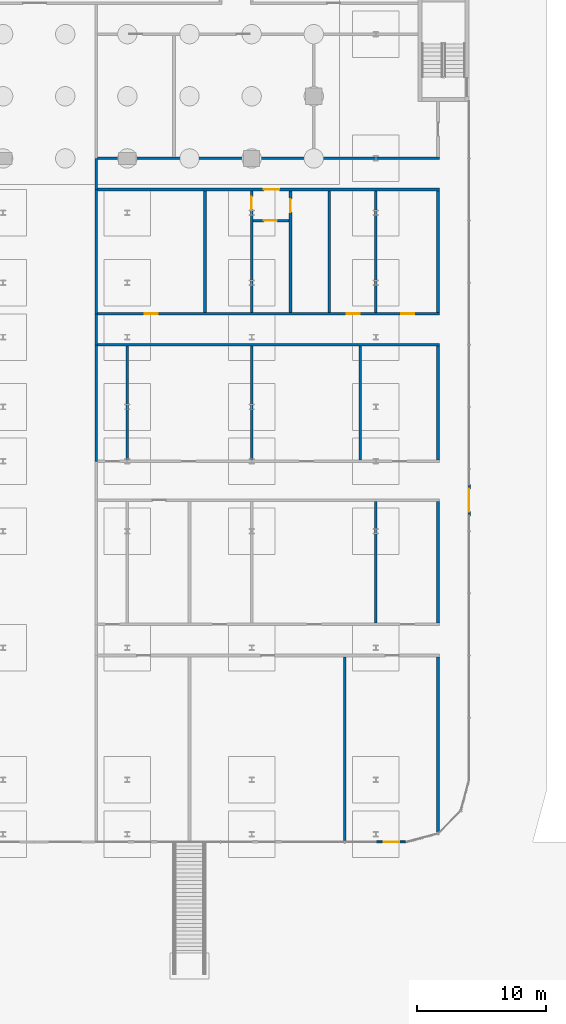
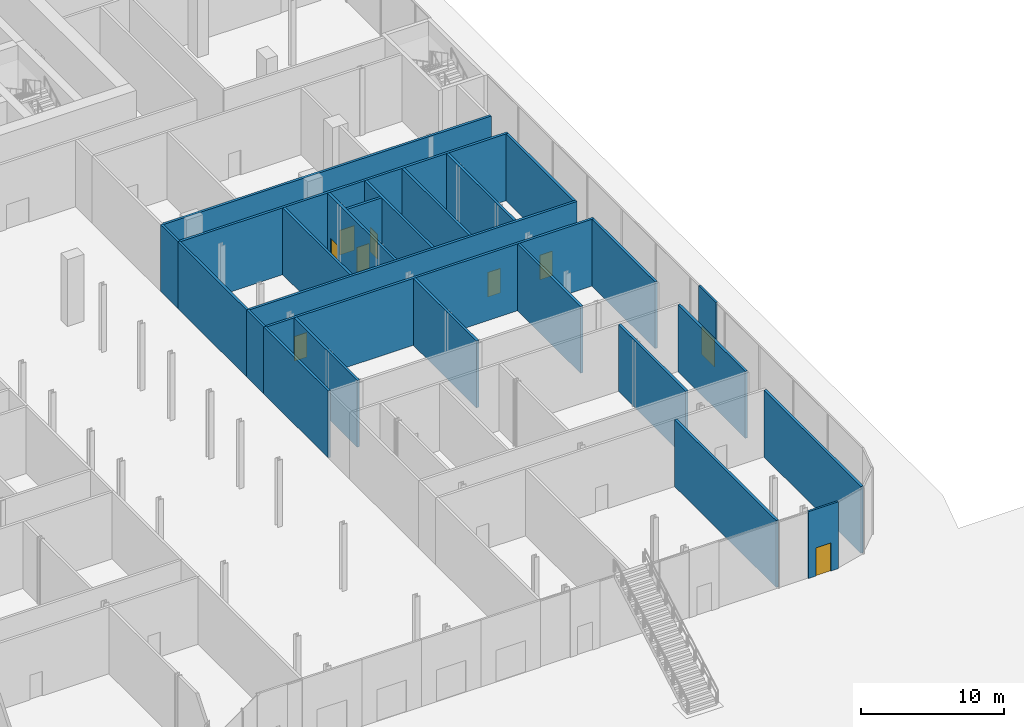
# One storey, part 31 of 44: 25 walls, 9 doors, 9 openings.
"""IFC4 building model written with IfcOpenShell, lengths in metres."""

from ifc_helpers import new_model, si_unit, direction, frame, frame_2d, origin, place, context, subcontext, project, spatial, rectangle, extrude, material, layer, layer_set, type_object, element, fill, save


model = new_model("IFC4")

# Units and contexts
model_context = context("Model", 3, precision=1e-05, world=origin(), true_north=direction((0.0, 1.0)))
body_context = subcontext(model_context, "Body", "Model", "MODEL_VIEW")
ifc_project = project(units=[si_unit("LENGTHUNIT", "METRE"), si_unit("AREAUNIT", "SQUARE_METRE"), si_unit("VOLUMEUNIT", "CUBIC_METRE"), si_unit("PLANEANGLEUNIT", "RADIAN"), si_unit("MASSUNIT", "GRAM", prefix="KILO")], contexts=[model_context])

# Site, building, storey
site_placement = place(None, origin())
site = spatial("IfcSite", under=ifc_project, at=site_placement, CompositionType="ELEMENT")
building_placement = place(site_placement, origin())
building = spatial("IfcBuilding", under=site, at=building_placement, Name="Madar Terraces", CompositionType="ELEMENT")
storey_placement = place(building_placement, origin())
storey = spatial("IfcBuildingStorey", under=building, at=storey_placement, Name="L00", CompositionType="ELEMENT", Elevation=0.0)

# Wall, opening, door
ifc_material_1 = material(Name="Aluminium composite panel, black, over insulated backing", Category="aluminium")
ifc_layer_1 = layer(ifc_material_1, 0.14990234375)
ifc_layer_set_1 = layer_set([ifc_layer_1], Name="Facade bay panel 150")
wall_type_1 = type_object("IfcWallType", Name="Facade bay panel 150", PredefinedType="SOLIDWALL", material=ifc_layer_set_1)
wall_1_placement = place(storey_placement, frame((64.800048828125, -52.800048828125, 0.0), z_axis=(0.0, 0.0, 1.0), x_axis=(-1.0, 0.0, 0.0)))
wall_1 = element("IfcWall", 1, at=wall_1_placement, inside=storey, type_object=wall_type_1, Name="Facade bay panel", PredefinedType="SOLIDWALL", context=body_context, shape_type="SweptSolid", body=[
    extrude(rectangle(XDim=2.400146484375, YDim=0.14990234375, at=frame_2d((1.2001953125, 0.0))), origin(), (0.0, 0.0, 1.0), 5.699951171875),
])
opening_1_placement = place(wall_1_placement, frame((0.60009765625, 0.0, 0.0)))
opening_1 = element("IfcOpeningElement", 2, at=opening_1_placement, cuts=wall_1, Name="Opening ED7", PredefinedType="OPENING", context=body_context, shape_type="SweptSolid", body=[
    extrude(rectangle(XDim=1.199951171875, YDim=2.39990234375, at=frame_2d((0.60009765625, 1.199951171875))), frame((0.0, 0.0849609375, 0.0), z_axis=(0.0, -1.0, 0.0), x_axis=(1.0, 0.0, 0.0)), (0.0, 0.0, 1.0), 0.169921875),
])
ifc_material_2 = material(Name="Glass, clear, with black aluminium frame", Category="aluminium")
door_type_1 = type_object("IfcDoorType", Name="Glazed shop door 1200 x 2400", OperationType="NOTDEFINED", PredefinedType="DOOR", material=ifc_material_2)
door_1_placement = place(opening_1_placement, origin())
door_1 = element("IfcDoor", 3, at=door_1_placement, inside=storey, type_object=door_type_1, Name="Shopfront door", OperationType="SINGLE_SWING_RIGHT", OverallHeight=2.39990234375, OverallWidth=1.199951171875, PredefinedType="DOOR", context=body_context, shape_type="SweptSolid", body=[
    extrude(rectangle(XDim=1.199951171875, YDim=2.39990234375, at=frame_2d((0.60009765625, 1.199951171875))), frame((0.0, 0.02490234375, 0.0), z_axis=(0.0, -1.0, 0.0), x_axis=(1.0, 0.0, 0.0)), (0.0, 0.0, 1.0), 0.050048828125),
])
fill(opening_1, door_1)

wall_2_placement = place(storey_placement, frame((69.60009765625, -27.60009765625, 0.0), z_axis=(0.0, 0.0, 1.0), x_axis=(0.0, 1.0, 0.0)))
wall_2 = element("IfcWall", 4, at=wall_2_placement, inside=storey, type_object=wall_type_1, Name="Facade bay panel", PredefinedType="SOLIDWALL", context=body_context, shape_type="SweptSolid", body=[
    extrude(rectangle(XDim=2.400146484375, YDim=0.14990234375, at=frame_2d((1.2001953125, 0.0))), origin(), (0.0, 0.0, 1.0), 5.699951171875),
])
opening_2_placement = place(wall_2_placement, frame((0.300048828125, 0.0, 0.0)))
opening_2 = element("IfcOpeningElement", 5, at=opening_2_placement, cuts=wall_2, Name="Opening ED1", PredefinedType="OPENING", context=body_context, shape_type="SweptSolid", body=[
    extrude(rectangle(XDim=1.800048828125, YDim=2.39990234375, at=frame_2d((0.89990234375, 1.199951171875))), frame((0.0, 0.0849609375, 0.0), z_axis=(0.0, -1.0, 0.0), x_axis=(1.0, 0.0, 0.0)), (0.0, 0.0, 1.0), 0.169921875),
])
ifc_material_3 = material(Name="Glass, clear, with black aluminium frame", Category="aluminium")
door_type_2 = type_object("IfcDoorType", Name="Balcony and terrace sliding door 1800 x 2400", OperationType="SLIDING_TO_LEFT", PredefinedType="DOOR", material=ifc_material_3)
door_2_placement = place(opening_2_placement, origin())
door_2 = element("IfcDoor", 6, at=door_2_placement, inside=storey, type_object=door_type_2, Name="Balcony door", OperationType="SLIDING_TO_LEFT", OverallHeight=2.39990234375, OverallWidth=1.800048828125, PredefinedType="DOOR", context=body_context, shape_type="SweptSolid", body=[
    extrude(rectangle(XDim=1.800048828125, YDim=2.39990234375, at=frame_2d((0.89990234375, 1.199951171875))), frame((0.0, 0.02490234375, 0.0), z_axis=(0.0, -1.0, 0.0), x_axis=(1.0, 0.0, 0.0)), (0.0, 0.0, 1.0), 0.050048828125),
])
fill(opening_2, door_2)

# Wall
ifc_material_4 = material(Name="Gypsum board partition, fire-rated")
ifc_layer_2 = layer(ifc_material_4, 0.199951171875)
ifc_layer_set_2 = layer_set([ifc_layer_2], Name="Partition 200 EI 60")
wall_type_2 = type_object("IfcWallType", Name="Partition 200 EI 60", PredefinedType="PARTITIONING", material=ifc_layer_set_2)
wall_3_placement = place(storey_placement, frame((40.89990234375, -14.39990234375, 0.0), z_axis=(0.0, 0.0, 1.0), x_axis=(1.0, 0.0, 0.0)))
element("IfcWall", 7, at=wall_3_placement, inside=storey, type_object=wall_type_2, Name="Wall KIOSK + STORE", PredefinedType="PARTITIONING", context=body_context, shape_type="SweptSolid", body=[
    extrude(rectangle(XDim=26.400146484375, YDim=0.199951171875, at=frame_2d((13.2001953125, 0.0))), origin(), (0.0, 0.0, 1.0), 5.699951171875),
])

# Wall, openings, doors
wall_4_placement = place(storey_placement, frame((40.89990234375, -12.0, 0.0), z_axis=(0.0, 0.0, 1.0), x_axis=(1.0, 0.0, 0.0)))
wall_4 = element("IfcWall", 8, at=wall_4_placement, inside=storey, type_object=wall_type_2, Name="Wall ACCESSIBLE WC + CLEANERS STORE", PredefinedType="PARTITIONING", context=body_context, shape_type="SweptSolid", body=[
    extrude(rectangle(XDim=26.400146484375, YDim=0.199951171875, at=frame_2d((13.2001953125, 0.0))), origin(), (0.0, 0.0, 1.0), 5.699951171875),
])
opening_3_placement = place(wall_4_placement, frame((3.64990234375, 0.0, 0.0)))
opening_3 = element("IfcOpeningElement", 9, at=opening_3_placement, cuts=wall_4, Name="Opening D31", PredefinedType="OPENING", context=body_context, shape_type="SweptSolid", body=[
    extrude(rectangle(XDim=1.0, YDim=2.10009765625, at=frame_2d((0.5, 1.050048828125))), frame((0.0, 0.10986328125, 0.0), z_axis=(0.0, -1.0, 0.0), x_axis=(1.0, 0.0, 0.0)), (0.0, 0.0, 1.0), 0.219970703125),
])
opening_4_placement = place(wall_4_placement, frame((19.25, 0.0, 0.0)))
opening_4 = element("IfcOpeningElement", 10, at=opening_4_placement, cuts=wall_4, Name="Opening D31", PredefinedType="OPENING", context=body_context, shape_type="SweptSolid", body=[
    extrude(rectangle(XDim=1.0, YDim=2.10009765625, at=frame_2d((0.5, 1.050048828125))), frame((0.0, 0.10986328125, 0.0), z_axis=(0.0, -1.0, 0.0), x_axis=(1.0, 0.0, 0.0)), (0.0, 0.0, 1.0), 0.219970703125),
])
opening_5_placement = place(wall_4_placement, frame((23.449951171875, 0.0, 0.0)))
opening_5 = element("IfcOpeningElement", 11, at=opening_5_placement, cuts=wall_4, Name="Opening D31", PredefinedType="OPENING", context=body_context, shape_type="SweptSolid", body=[
    extrude(rectangle(XDim=1.0, YDim=2.10009765625, at=frame_2d((0.5, 1.050048828125))), frame((0.0, 0.10986328125, 0.0), z_axis=(0.0, -1.0, 0.0), x_axis=(1.0, 0.0, 0.0)), (0.0, 0.0, 1.0), 0.219970703125),
])
ifc_material_5 = material(Name="Timber door leaf, fire-rated", Category="wood")
door_type_3 = type_object("IfcDoorType", Name="Podium door 1000 x 2100 FD30S", OperationType="NOTDEFINED", PredefinedType="DOOR", material=ifc_material_5)
door_3_placement = place(opening_3_placement, origin())
door_3 = element("IfcDoor", 12, at=door_3_placement, inside=storey, type_object=door_type_3, Name="Door CLEANERS STORE / PODIUM CORRIDOR", OperationType="SINGLE_SWING_LEFT", OverallHeight=2.10009765625, OverallWidth=1.0, PredefinedType="DOOR", context=body_context, shape_type="SweptSolid", body=[
    extrude(rectangle(XDim=1.0, YDim=2.10009765625, at=frame_2d((0.5, 1.050048828125))), frame((0.0, 0.02490234375, 0.0), z_axis=(0.0, -1.0, 0.0), x_axis=(1.0, 0.0, 0.0)), (0.0, 0.0, 1.0), 0.050048828125),
])
fill(opening_3, door_3)
door_4_placement = place(opening_4_placement, origin())
door_4 = element("IfcDoor", 13, at=door_4_placement, inside=storey, type_object=door_type_3, Name="Door MAIL ROOM / PODIUM CORRIDOR", OperationType="SINGLE_SWING_RIGHT", OverallHeight=2.10009765625, OverallWidth=1.0, PredefinedType="DOOR", context=body_context, shape_type="SweptSolid", body=[
    extrude(rectangle(XDim=1.0, YDim=2.10009765625, at=frame_2d((0.5, 1.050048828125))), frame((0.0, 0.02490234375, 0.0), z_axis=(0.0, -1.0, 0.0), x_axis=(1.0, 0.0, 0.0)), (0.0, 0.0, 1.0), 0.050048828125),
])
fill(opening_4, door_4)
door_5_placement = place(opening_5_placement, origin())
door_5 = element("IfcDoor", 14, at=door_5_placement, inside=storey, type_object=door_type_3, Name="Door PARCEL ROOM / PODIUM CORRIDOR", OperationType="SINGLE_SWING_LEFT", OverallHeight=2.10009765625, OverallWidth=1.0, PredefinedType="DOOR", context=body_context, shape_type="SweptSolid", body=[
    extrude(rectangle(XDim=1.0, YDim=2.10009765625, at=frame_2d((0.5, 1.050048828125))), frame((0.0, 0.02490234375, 0.0), z_axis=(0.0, -1.0, 0.0), x_axis=(1.0, 0.0, 0.0)), (0.0, 0.0, 1.0), 0.050048828125),
])
fill(opening_5, door_5)

# Wall, opening, door
wall_5_placement = place(storey_placement, frame((55.699951171875, -4.800048828125, 0.0), z_axis=(0.0, 0.0, 1.0), x_axis=(-1.0, 0.0, 0.0)))
wall_5 = element("IfcWall", 15, at=wall_5_placement, inside=storey, type_object=wall_type_2, Name="Wall WC LOBBY / ACCESSIBLE WC", PredefinedType="PARTITIONING", context=body_context, shape_type="SweptSolid", body=[
    extrude(rectangle(XDim=2.800048828125, YDim=0.199951171875, at=frame_2d((1.39990234375, 0.0))), origin(), (0.0, 0.0, 1.0), 5.699951171875),
])
opening_6_placement = place(wall_5_placement, frame((0.949951171875, 0.0, 0.0)))
opening_6 = element("IfcOpeningElement", 16, at=opening_6_placement, cuts=wall_5, Name="Opening D31", PredefinedType="OPENING", context=body_context, shape_type="SweptSolid", body=[
    extrude(rectangle(XDim=1.0, YDim=2.10009765625, at=frame_2d((0.5, 1.050048828125))), frame((0.0, 0.10986328125, 0.0), z_axis=(0.0, -1.0, 0.0), x_axis=(1.0, 0.0, 0.0)), (0.0, 0.0, 1.0), 0.219970703125),
])
door_6_placement = place(opening_6_placement, origin())
door_6 = element("IfcDoor", 17, at=door_6_placement, inside=storey, type_object=door_type_3, Name="Door WC LOBBY / ACCESSIBLE WC", OperationType="SINGLE_SWING_RIGHT", OverallHeight=2.10009765625, OverallWidth=1.0, PredefinedType="DOOR", context=body_context, shape_type="SweptSolid", body=[
    extrude(rectangle(XDim=1.0, YDim=2.10009765625, at=frame_2d((0.5, 1.050048828125))), frame((0.0, 0.02490234375, 0.0), z_axis=(0.0, -1.0, 0.0), x_axis=(1.0, 0.0, 0.0)), (0.0, 0.0, 1.0), 0.050048828125),
])
fill(opening_6, door_6)

wall_6_placement = place(storey_placement, frame((40.89990234375, -2.39990234375, 0.0), z_axis=(0.0, 0.0, 1.0), x_axis=(1.0, 0.0, 0.0)))
wall_6 = element("IfcWall", 18, at=wall_6_placement, inside=storey, type_object=wall_type_2, Name="Wall CLEANERS STORE + MAIL ROOM", PredefinedType="PARTITIONING", context=body_context, shape_type="SweptSolid", body=[
    extrude(rectangle(XDim=26.400146484375, YDim=0.199951171875, at=frame_2d((13.2001953125, 0.0))), origin(), (0.0, 0.0, 1.0), 5.699951171875),
])
opening_7_placement = place(wall_6_placement, frame((12.85009765625, 0.0, 0.0)))
opening_7 = element("IfcOpeningElement", 19, at=opening_7_placement, cuts=wall_6, Name="Opening D32", PredefinedType="OPENING", context=body_context, shape_type="SweptSolid", body=[
    extrude(rectangle(XDim=1.199951171875, YDim=2.10009765625, at=frame_2d((0.60009765625, 1.050048828125))), frame((0.0, 0.10986328125, 0.0), z_axis=(0.0, -1.0, 0.0), x_axis=(1.0, 0.0, 0.0)), (0.0, 0.0, 1.0), 0.219970703125),
])
ifc_material_6 = material(Name="Timber door leaf, fire-rated", Category="wood")
door_type_4 = type_object("IfcDoorType", Name="Podium door 1200 x 2100 FD30S", OperationType="NOTDEFINED", PredefinedType="DOOR", material=ifc_material_6)
door_7_placement = place(opening_7_placement, origin())
door_7 = element("IfcDoor", 20, at=door_7_placement, inside=storey, type_object=door_type_4, Name="Door WC LOBBY / PODIUM CORRIDOR", OperationType="SINGLE_SWING_RIGHT", OverallHeight=2.10009765625, OverallWidth=1.199951171875, PredefinedType="DOOR", context=body_context, shape_type="SweptSolid", body=[
    extrude(rectangle(XDim=1.199951171875, YDim=2.10009765625, at=frame_2d((0.60009765625, 1.050048828125))), frame((0.0, 0.02490234375, 0.0), z_axis=(0.0, -1.0, 0.0), x_axis=(1.0, 0.0, 0.0)), (0.0, 0.0, 1.0), 0.050048828125),
])
fill(opening_7, door_7)

# Walls
wall_7_placement = place(storey_placement, frame((40.89990234375, 0.0, 0.0), z_axis=(0.0, 0.0, 1.0), x_axis=(1.0, 0.0, 0.0)))
element("IfcWall", 21, at=wall_7_placement, inside=storey, type_object=wall_type_2, Name="Wall CONCIERGE + HOUSING OFFICE", PredefinedType="PARTITIONING", context=body_context, shape_type="SweptSolid", body=[
    extrude(rectangle(XDim=26.400146484375, YDim=0.199951171875, at=frame_2d((13.2001953125, 0.0))), origin(), (0.0, 0.0, 1.0), 5.699951171875),
])
wall_8_placement = place(storey_placement, frame((40.800048828125, -23.39990234375, 0.0), z_axis=(0.0, 0.0, 1.0), x_axis=(0.0, 1.0, 0.0)))
element("IfcWall", 22, at=wall_8_placement, inside=storey, type_object=wall_type_2, Name="Wall STORE / ENTRANCE HALL", PredefinedType="PARTITIONING", context=body_context, shape_type="SweptSolid", body=[
    extrude(rectangle(XDim=9.0, YDim=0.199951171875, at=frame_2d((4.5, 0.0))), origin(), (0.0, 0.0, 1.0), 5.699951171875),
])
wall_9_placement = place(storey_placement, frame((40.800048828125, -12.0, 0.0), z_axis=(0.0, 0.0, 1.0), x_axis=(0.0, 1.0, 0.0)))
element("IfcWall", 23, at=wall_9_placement, inside=storey, type_object=wall_type_2, Name="Wall CLEANERS STORE / ENTRANCE HALL", PredefinedType="PARTITIONING", context=body_context, shape_type="SweptSolid", body=[
    extrude(rectangle(XDim=9.60009765625, YDim=0.199951171875, at=frame_2d((4.800048828125, 0.0))), origin(), (0.0, 0.0, 1.0), 5.699951171875),
])
for number, where, z_axis, x_axis, name in (
    (24, (40.800048828125, -14.39990234375, 0.0), (0.0, 0.0, 1.0), (0.0, 1.0, 0.0), "Wall ENTRANCE HALL / PODIUM CORRIDOR"),
    (25, (40.800048828125, -2.39990234375, 0.0), (0.0, 0.0, 1.0), (0.0, 1.0, 0.0), "Wall ENTRANCE HALL / PODIUM CORRIDOR"),
):
    element("IfcWall", number, at=place(storey_placement, frame(where, z_axis=z_axis, x_axis=x_axis)), inside=storey, type_object=wall_type_2, Name=name, PredefinedType="PARTITIONING", context=body_context, shape_type="SweptSolid", body=[
        extrude(rectangle(XDim=2.39990234375, YDim=0.199951171875, at=frame_2d((1.199951171875, 0.0))), origin(), (0.0, 0.0, 1.0), 5.699951171875),
    ])
wall_10_placement = place(storey_placement, frame((43.199951171875, -23.300048828125, 0.0), z_axis=(0.0, 0.0, 1.0), x_axis=(0.0, 1.0, 0.0)))
element("IfcWall", 26, at=wall_10_placement, inside=storey, type_object=wall_type_2, Name="Wall STORE / WORKSHOP", PredefinedType="PARTITIONING", context=body_context, shape_type="SweptSolid", body=[
    extrude(rectangle(XDim=8.800048828125, YDim=0.199951171875, at=frame_2d((4.39990234375, 0.0))), origin(), (0.0, 0.0, 1.0), 5.699951171875),
])
wall_11_placement = place(storey_placement, frame((49.199951171875, -11.89990234375, 0.0), z_axis=(0.0, 0.0, 1.0), x_axis=(0.0, 1.0, 0.0)))
element("IfcWall", 27, at=wall_11_placement, inside=storey, type_object=wall_type_2, Name="Wall CLEANERS STORE / WC MEN", PredefinedType="PARTITIONING", context=body_context, shape_type="SweptSolid", body=[
    extrude(rectangle(XDim=9.39990234375, YDim=0.199951171875, at=frame_2d((4.699951171875, 0.0))), origin(), (0.0, 0.0, 1.0), 5.699951171875),
])
wall_12_placement = place(storey_placement, frame((52.800048828125, -23.300048828125, 0.0), z_axis=(0.0, 0.0, 1.0), x_axis=(0.0, 1.0, 0.0)))
element("IfcWall", 28, at=wall_12_placement, inside=storey, type_object=wall_type_2, Name="Wall WORKSHOP / WORKSHOP", PredefinedType="PARTITIONING", context=body_context, shape_type="SweptSolid", body=[
    extrude(rectangle(XDim=8.800048828125, YDim=0.199951171875, at=frame_2d((4.39990234375, 0.0))), origin(), (0.0, 0.0, 1.0), 5.699951171875),
])

# Wall, opening, door
wall_13_placement = place(storey_placement, frame((52.800048828125, -11.89990234375, 0.0), z_axis=(0.0, 0.0, 1.0), x_axis=(0.0, 1.0, 0.0)))
wall_13 = element("IfcWall", 29, at=wall_13_placement, inside=storey, type_object=wall_type_2, Name="Wall WC LOBBY + WC MEN", PredefinedType="PARTITIONING", context=body_context, shape_type="SweptSolid", body=[
    extrude(rectangle(XDim=9.39990234375, YDim=0.199951171875, at=frame_2d((4.699951171875, 0.0))), origin(), (0.0, 0.0, 1.0), 5.699951171875),
])
opening_8_placement = place(wall_13_placement, frame((7.949951171875, 0.0, 0.0)))
opening_8 = element("IfcOpeningElement", 30, at=opening_8_placement, cuts=wall_13, Name="Opening D31", PredefinedType="OPENING", context=body_context, shape_type="SweptSolid", body=[
    extrude(rectangle(XDim=1.0, YDim=2.10009765625, at=frame_2d((0.5, 1.050048828125))), frame((0.0, 0.10986328125, 0.0), z_axis=(0.0, -1.0, 0.0), x_axis=(1.0, 0.0, 0.0)), (0.0, 0.0, 1.0), 0.219970703125),
])
door_8_placement = place(opening_8_placement, origin())
door_8 = element("IfcDoor", 31, at=door_8_placement, inside=storey, type_object=door_type_3, Name="Door WC LOBBY / WC MEN", OperationType="SINGLE_SWING_RIGHT", OverallHeight=2.10009765625, OverallWidth=1.0, PredefinedType="DOOR", context=body_context, shape_type="SweptSolid", body=[
    extrude(rectangle(XDim=1.0, YDim=2.10009765625, at=frame_2d((0.5, 1.050048828125))), frame((0.0, 0.02490234375, 0.0), z_axis=(0.0, -1.0, 0.0), x_axis=(1.0, 0.0, 0.0)), (0.0, 0.0, 1.0), 0.050048828125),
])
fill(opening_8, door_8)

wall_14_placement = place(storey_placement, frame((55.800048828125, -2.5, 0.0), z_axis=(0.0, 0.0, 1.0), x_axis=(0.0, -1.0, 0.0)))
wall_14 = element("IfcWall", 32, at=wall_14_placement, inside=storey, type_object=wall_type_2, Name="Wall WC LOBBY + WC WOMEN", PredefinedType="PARTITIONING", context=body_context, shape_type="SweptSolid", body=[
    extrude(rectangle(XDim=9.39990234375, YDim=0.199951171875, at=frame_2d((4.699951171875, 0.0))), origin(), (0.0, 0.0, 1.0), 5.699951171875),
])
opening_9_placement = place(wall_14_placement, frame((0.64990234375, 0.0, 0.0)))
opening_9 = element("IfcOpeningElement", 33, at=opening_9_placement, cuts=wall_14, Name="Opening D31", PredefinedType="OPENING", context=body_context, shape_type="SweptSolid", body=[
    extrude(rectangle(XDim=1.0, YDim=2.10009765625, at=frame_2d((0.5, 1.050048828125))), frame((0.0, 0.10986328125, 0.0), z_axis=(0.0, -1.0, 0.0), x_axis=(1.0, 0.0, 0.0)), (0.0, 0.0, 1.0), 0.219970703125),
])
door_9_placement = place(opening_9_placement, origin())
door_9 = element("IfcDoor", 34, at=door_9_placement, inside=storey, type_object=door_type_3, Name="Door WC LOBBY / WC WOMEN", OperationType="SINGLE_SWING_RIGHT", OverallHeight=2.10009765625, OverallWidth=1.0, PredefinedType="DOOR", context=body_context, shape_type="SweptSolid", body=[
    extrude(rectangle(XDim=1.0, YDim=2.10009765625, at=frame_2d((0.5, 1.050048828125))), frame((0.0, 0.02490234375, 0.0), z_axis=(0.0, -1.0, 0.0), x_axis=(1.0, 0.0, 0.0)), (0.0, 0.0, 1.0), 0.050048828125),
])
fill(opening_9, door_9)

# Walls
wall_15_placement = place(storey_placement, frame((58.800048828125, -11.89990234375, 0.0), z_axis=(0.0, 0.0, 1.0), x_axis=(0.0, 1.0, 0.0)))
element("IfcWall", 35, at=wall_15_placement, inside=storey, type_object=wall_type_2, Name="Wall WC WOMEN / MAIL ROOM", PredefinedType="PARTITIONING", context=body_context, shape_type="SweptSolid", body=[
    extrude(rectangle(XDim=9.39990234375, YDim=0.199951171875, at=frame_2d((4.699951171875, 0.0))), origin(), (0.0, 0.0, 1.0), 5.699951171875),
])
wall_16_placement = place(storey_placement, frame((60.0, -52.699951171875, 0.0), z_axis=(0.0, 0.0, 1.0), x_axis=(0.0, 1.0, 0.0)))
element("IfcWall", 36, at=wall_16_placement, inside=storey, type_object=wall_type_2, Name="Wall RETAIL UNIT / RETAIL UNIT", PredefinedType="PARTITIONING", context=body_context, shape_type="SweptSolid", body=[
    extrude(rectangle(XDim=14.199951171875, YDim=0.199951171875, at=frame_2d((7.10009765625, 0.0))), origin(), (0.0, 0.0, 1.0), 5.699951171875),
])
wall_17_placement = place(storey_placement, frame((61.199951171875, -23.300048828125, 0.0), z_axis=(0.0, 0.0, 1.0), x_axis=(0.0, 1.0, 0.0)))
element("IfcWall", 37, at=wall_17_placement, inside=storey, type_object=wall_type_2, Name="Wall WORKSHOP / KIOSK", PredefinedType="PARTITIONING", context=body_context, shape_type="SweptSolid", body=[
    extrude(rectangle(XDim=8.800048828125, YDim=0.199951171875, at=frame_2d((4.39990234375, 0.0))), origin(), (0.0, 0.0, 1.0), 5.699951171875),
])
for number, where, z_axis, x_axis, name in (
    (38, (62.39990234375, -35.89990234375, 0.0), (0.0, 0.0, 1.0), (0.0, 1.0, 0.0), "Wall OFFICE / OFFICE"),
    (39, (62.39990234375, -11.89990234375, 0.0), (0.0, 0.0, 1.0), (0.0, 1.0, 0.0), "Wall MAIL ROOM / PARCEL ROOM"),
):
    element("IfcWall", number, at=place(storey_placement, frame(where, z_axis=z_axis, x_axis=x_axis)), inside=storey, type_object=wall_type_2, Name=name, PredefinedType="PARTITIONING", context=body_context, shape_type="SweptSolid", body=[
        extrude(rectangle(XDim=9.39990234375, YDim=0.199951171875, at=frame_2d((4.699951171875, 0.0))), origin(), (0.0, 0.0, 1.0), 5.699951171875),
    ])
wall_18_placement = place(storey_placement, frame((67.199951171875, -52.06005859375, 0.0), z_axis=(0.0, 0.0, 1.0), x_axis=(0.0, 1.0, 0.0)))
element("IfcWall", 40, at=wall_18_placement, inside=storey, type_object=wall_type_2, Name="Wall RETAIL UNIT / PODIUM CORRIDOR", PredefinedType="PARTITIONING", context=body_context, shape_type="SweptSolid", body=[
    extrude(rectangle(XDim=13.56005859375, YDim=0.199951171875, at=frame_2d((6.780029296875, 0.0))), origin(), (0.0, 0.0, 1.0), 5.699951171875),
])
wall_19_placement = place(storey_placement, frame((67.199951171875, -35.89990234375, 0.0), z_axis=(0.0, 0.0, 1.0), x_axis=(0.0, 1.0, 0.0)))
element("IfcWall", 41, at=wall_19_placement, inside=storey, type_object=wall_type_2, Name="Wall OFFICE / PODIUM CORRIDOR", PredefinedType="PARTITIONING", context=body_context, shape_type="SweptSolid", body=[
    extrude(rectangle(XDim=9.39990234375, YDim=0.199951171875, at=frame_2d((4.699951171875, 0.0))), origin(), (0.0, 0.0, 1.0), 5.699951171875),
])
wall_20_placement = place(storey_placement, frame((67.199951171875, -23.300048828125, 0.0), z_axis=(0.0, 0.0, 1.0), x_axis=(0.0, 1.0, 0.0)))
element("IfcWall", 42, at=wall_20_placement, inside=storey, type_object=wall_type_2, Name="Wall KIOSK / PODIUM CORRIDOR", PredefinedType="PARTITIONING", context=body_context, shape_type="SweptSolid", body=[
    extrude(rectangle(XDim=8.800048828125, YDim=0.199951171875, at=frame_2d((4.39990234375, 0.0))), origin(), (0.0, 0.0, 1.0), 5.699951171875),
])
wall_21_placement = place(storey_placement, frame((67.199951171875, -11.89990234375, 0.0), z_axis=(0.0, 0.0, 1.0), x_axis=(0.0, 1.0, 0.0)))
element("IfcWall", 43, at=wall_21_placement, inside=storey, type_object=wall_type_2, Name="Wall PARCEL ROOM / PODIUM CORRIDOR", PredefinedType="PARTITIONING", context=body_context, shape_type="SweptSolid", body=[
    extrude(rectangle(XDim=9.39990234375, YDim=0.199951171875, at=frame_2d((4.699951171875, 0.0))), origin(), (0.0, 0.0, 1.0), 5.699951171875),
])

save(model, "model.ifc")
